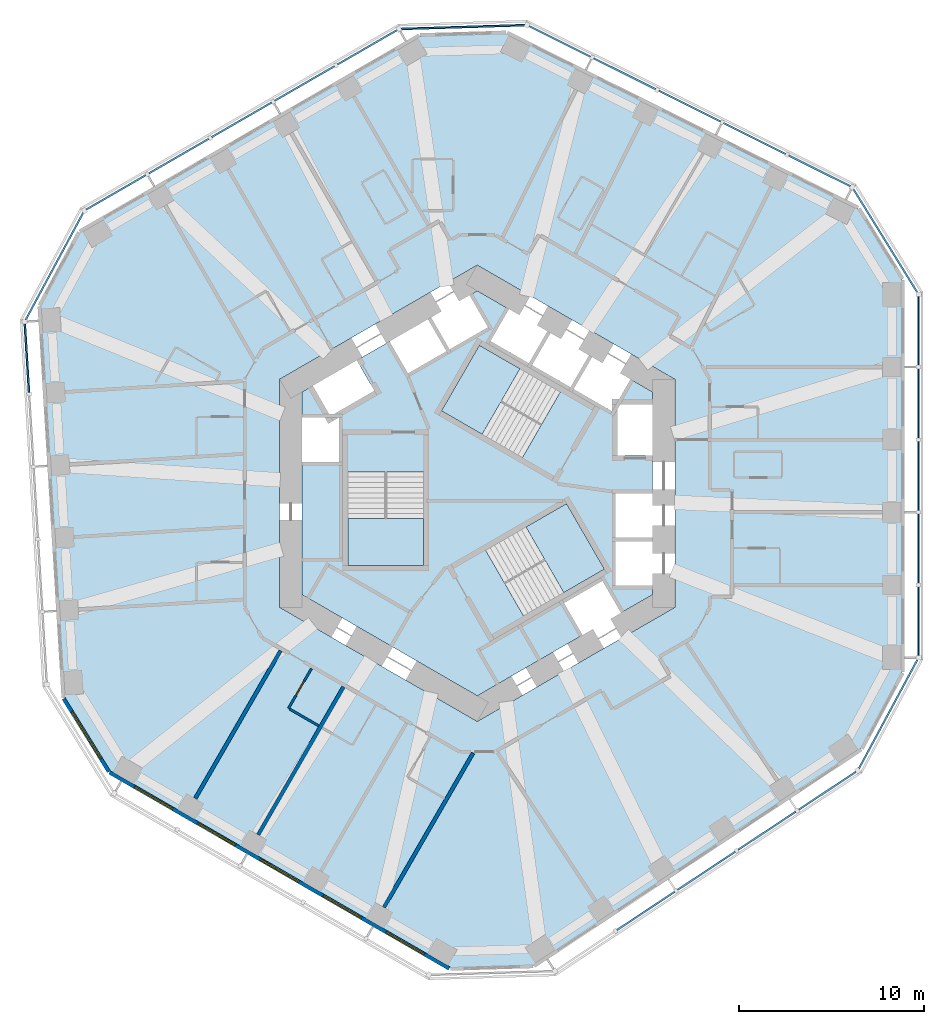
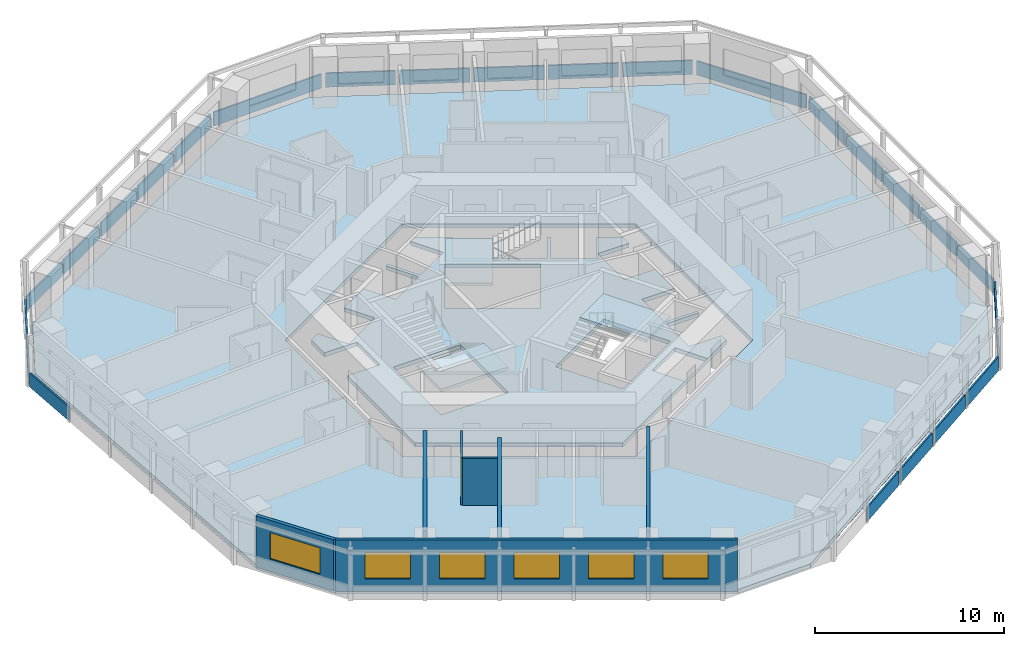
# One storey, part 3 of 12: 24 plates, 7 walls, 6 windows, 5 slabs, 1 door, 7 openings, 12 elements without a shape of their own.
"""IFC4 building model written with IfcOpenShell, lengths in metres."""

from ifc_helpers import new_model, si_unit, direction, frame, frame_2d, origin, origin_2d, place, context, subcontext, project, spatial, polyline, rectangle, outline, extrude, material, layer, layer_set, type_object, element, fill, aggregate, save


model = new_model("IFC4")

# Units and contexts
model_context = context("Model", 3, precision=1e-05, world=origin(), true_north=direction((0.0, 1.0)))
body_context = subcontext(model_context, "Body", "Model", "MODEL_VIEW")
ifc_project = project(units=[si_unit("LENGTHUNIT", "METRE"), si_unit("AREAUNIT", "SQUARE_METRE"), si_unit("VOLUMEUNIT", "CUBIC_METRE"), si_unit("PLANEANGLEUNIT", "RADIAN"), si_unit("MASSUNIT", "GRAM", prefix="KILO")], contexts=[model_context])

# Site, building, storey
site_placement = place(None, origin())
site = spatial("IfcSite", under=ifc_project, at=site_placement, CompositionType="ELEMENT")
building_placement = place(site_placement, origin())
building = spatial("IfcBuilding", under=site, at=building_placement, Name="Vanh Sen Convention Tower", CompositionType="ELEMENT")
storey_placement = place(building_placement, frame((0.0, 0.0, 93.5)))
storey = spatial("IfcBuildingStorey", under=building, at=storey_placement, Name="L21", CompositionType="ELEMENT", Elevation=93.5)

# Slabs
ifc_material_1 = material(Name="Concrete C40/50", Category="concrete")
ifc_layer_1 = layer(ifc_material_1, 0.25)
ifc_layer_set_1 = layer_set([ifc_layer_1], Name="Concrete C40/50")
slab_type_1 = type_object("IfcSlabType", Name="Core slab 250", PredefinedType="FLOOR", material=ifc_layer_set_1)
slab_1_placement = place(storey_placement, frame((0.0, 0.0, -0.25)))
element("IfcSlab", 1, at=slab_1_placement, inside=storey, type_object=slab_type_1, Name="Core slab L21", PredefinedType="FLOOR", context=body_context, shape_type="SweptSolid", body=[
    extrude(outline(polyline([(9.5, 5.48486328125), (9.5, 4.800048828125), (7.60009765625, 4.800048828125), (7.60009765625, 2.050048828125), (9.5, 2.050048828125), (9.5, 0.0), (7.5, 0.0), (7.5, -2.39990234375), (9.5, -2.39990234375), (9.5, -2.60009765625), (7.5, -2.60009765625), (7.5, -5.0), (9.5, -5.0), (9.5, -5.48486328125), (0.0, -10.9697265625), (-9.5, -5.48486328125), (-9.5, 1.699951171875), (-7.5, 1.699951171875), (-7.5, 4.10009765625), (-9.5, 4.10009765625), (-9.5, 5.48486328125), (-8.906982421875, 5.8271484375), (-7.956787109375, 4.181884765625), (-5.575439453125, 5.556884765625), (-6.525390625, 7.2021484375), (-4.75, 8.227294921875), (-3.75, 6.4951171875), (-1.67138671875, 7.6953125), (-2.67138671875, 9.42724609375), (-2.498291015625, 9.527099609375), (-1.498291015625, 7.795166015625), (0.580078125, 8.9951171875), (-0.419921875, 10.727294921875), (0.0, 10.9697265625), (1.718994140625, 9.977294921875), (0.718994140625, 8.2451171875), (2.79736328125, 7.045166015625), (3.79736328125, 8.777099609375), (3.970703125, 8.67724609375), (2.970703125, 6.9453125), (5.049072265625, 5.7451171875), (6.049072265625, 7.477294921875), (6.22216796875, 7.377197265625), (5.22216796875, 5.645263671875), (7.30078125, 4.4453125), (8.30078125, 6.17724609375), (9.5, 5.48486328125)]), holes=[polyline([(-7.0, 3.14990234375), (-7.0, -3.909912109375), (-2.89990234375, -3.909912109375), (-2.89990234375, 3.14990234375), (-2.89990234375, 1.1494140625), (-7.0, 1.1494140625), (-7.0, 3.14990234375)]), polyline([(4.495361328125, 5.487548828125), (6.22802734375, 4.4873046875), (0.11376953125, 8.01708984375), (-1.936279296875, 4.466552734375), (2.4453125, 1.936767578125), (4.495361328125, 5.487548828125)]), polyline([(7.781005859375, -6.477294921875), (6.781005859375, -4.7451171875), (4.70263671875, -5.9453125), (5.70263671875, -7.67724609375), (7.781005859375, -6.477294921875)]), polyline([(0.45458984375, -3.086181640625), (2.504638671875, -6.63671875), (6.88623046875, -4.107177734375), (4.836181640625, -0.556396484375), (-1.278076171875, -4.08642578125), (0.45458984375, -3.086181640625)])]), origin(), (0.0, 0.0, 1.0), 0.25),
])
ifc_layer_2 = layer(ifc_material_1, 0.25)
ifc_layer_set_2 = layer_set([ifc_layer_2], Name="Concrete C40/50")
slab_type_2 = type_object("IfcSlabType", Name="Floor slab 250 REI 120", PredefinedType="FLOOR", material=ifc_layer_set_2)
slab_2_placement = place(storey_placement, frame((0.0, 0.0, -0.25)))
element("IfcSlab", 2, at=slab_2_placement, inside=storey, type_object=slab_type_2, Name="Floor slab L21 tower", PredefinedType="FLOOR", context=body_context, shape_type="SweptSolid", body=[
    extrude(outline(polyline([(23.0, -9.69921875), (23.0, 11.57373046875), (20.620361328125, 15.419189453125), (1.58251953125, 24.911376953125), (-3.10009765625, 24.768310546875), (-21.523193359375, 14.131591796875), (-23.663818359375, 10.14794921875), (-22.364990234375, -11.085205078125), (-19.89990234375, -15.069091796875), (-1.476806640625, -25.705322265625), (3.04345703125, -25.5673828125), (20.78271484375, -13.825927734375), (23.0, -9.69921875)]), holes=[polyline([(0.0, 12.355224609375), (-10.699951171875, 6.177490234375), (-10.699951171875, -6.177490234375), (0.0, -12.355224609375), (10.699951171875, -6.177490234375), (10.699951171875, 6.177490234375), (0.0, 12.355224609375)])]), origin(), (0.0, 0.0, 1.0), 0.25),
])

# Curtain wall, plates
ifc_material_2 = material(Name="Concrete C50/60", Category="concrete")
curtain_wall_type = type_object("IfcCurtainWallType", Name="Outer skin hotel zone", PredefinedType="NOTDEFINED", material=ifc_material_2)
curtain_wall_1_placement = place(storey_placement, origin())
curtain_wall_1 = element("IfcCurtainWall", 3, at=curtain_wall_1_placement, inside=storey, type_object=curtain_wall_type, Name="OUTER SKIN E L21", PredefinedType="NOTDEFINED")
ifc_layer_3 = layer(ifc_material_2, 0.10009765625)
ifc_layer_set_3 = layer_set([ifc_layer_3], Name="Concrete C50/60")
plate_type = type_object("IfcPlateType", Name="Outer skin precast screen panel 100", PredefinedType="CURTAIN_PANEL", material=ifc_layer_set_3)
plate_1_placement = place(storey_placement, frame((23.89990234375, -6.91943359375, 0.0), z_axis=(0.0, 0.0, 1.0), x_axis=(0.0, 1.0, 0.0)))
plate_1 = element("IfcPlate", 4, at=plate_1_placement, type_object=plate_type, Name="OUTER SKIN screen panel E-1", PredefinedType="CURTAIN_PANEL", context=body_context, shape_type="SweptSolid", body=[
    extrude(rectangle(XDim=3.709716796875, YDim=0.10009765625, at=origin_2d()), origin(), (0.0, 0.0, 1.0), 0.89990234375),
])
plate_2_placement = place(storey_placement, frame((23.89990234375, -2.997314453125, 0.0), z_axis=(0.0, 0.0, 1.0), x_axis=(0.0, 1.0, 0.0)))
plate_2 = element("IfcPlate", 5, at=plate_2_placement, type_object=plate_type, Name="OUTER SKIN screen panel E-2", PredefinedType="CURTAIN_PANEL", context=body_context, shape_type="SweptSolid", body=[
    extrude(rectangle(XDim=3.734619140625, YDim=0.10009765625, at=origin_2d()), origin(), (0.0, 0.0, 1.0), 0.89990234375),
])
plate_3_placement = place(storey_placement, frame((23.89990234375, 0.937255859375, 0.0), z_axis=(0.0, 0.0, 1.0), x_axis=(0.0, 1.0, 0.0)))
plate_3 = element("IfcPlate", 6, at=plate_3_placement, type_object=plate_type, Name="OUTER SKIN screen panel E-3", PredefinedType="CURTAIN_PANEL", context=body_context, shape_type="SweptSolid", body=[
    extrude(rectangle(XDim=3.734619140625, YDim=0.10009765625, at=origin_2d()), origin(), (0.0, 0.0, 1.0), 0.89990234375),
])
plate_4_placement = place(storey_placement, frame((23.89990234375, 4.871826171875, 0.0), z_axis=(0.0, 0.0, 1.0), x_axis=(0.0, 1.0, 0.0)))
plate_4 = element("IfcPlate", 7, at=plate_4_placement, type_object=plate_type, Name="OUTER SKIN screen panel E-4", PredefinedType="CURTAIN_PANEL", context=body_context, shape_type="SweptSolid", body=[
    extrude(rectangle(XDim=3.734619140625, YDim=0.10009765625, at=origin_2d()), origin(), (0.0, 0.0, 1.0), 0.89990234375),
])
plate_5_placement = place(storey_placement, frame((23.89990234375, 8.7939453125, 0.0), z_axis=(0.0, 0.0, 1.0), x_axis=(0.0, 1.0, 0.0)))
plate_5 = element("IfcPlate", 8, at=plate_5_placement, type_object=plate_type, Name="OUTER SKIN screen panel E-5", PredefinedType="CURTAIN_PANEL", context=body_context, shape_type="SweptSolid", body=[
    extrude(rectangle(XDim=3.709716796875, YDim=0.10009765625, at=origin_2d()), origin(), (0.0, 0.0, 1.0), 0.89990234375),
])
aggregate(curtain_wall_1, [plate_1, plate_2, plate_3, plate_4, plate_5])

# Curtain wall, plate
curtain_wall_2_placement = place(storey_placement, origin())
curtain_wall_2 = element("IfcCurtainWall", 9, at=curtain_wall_2_placement, inside=storey, type_object=curtain_wall_type, Name="OUTER SKIN CH1 L21", PredefinedType="NOTDEFINED")
plate_6_placement = place(storey_placement, frame((22.102783203125, 13.677734375, 0.0), z_axis=(0.0, 0.0, 1.0), x_axis=(-0.526212439506, 0.850353143411, 0.0)))
plate_6 = element("IfcPlate", 10, at=plate_6_placement, type_object=plate_type, Name="OUTER SKIN screen panel CH1-1", PredefinedType="CURTAIN_PANEL", context=body_context, shape_type="SweptSolid", body=[
    extrude(rectangle(XDim=6.580078125, YDim=0.10009765625, at=origin_2d()), origin(), (0.0, 0.0, 1.0), 0.89990234375),
])
aggregate(curtain_wall_2, [plate_6])

# Curtain wall, plates
curtain_wall_3_placement = place(storey_placement, origin())
curtain_wall_3 = element("IfcCurtainWall", 11, at=curtain_wall_3_placement, inside=storey, type_object=curtain_wall_type, Name="OUTER SKIN NE L21", PredefinedType="NOTDEFINED")
plate_7_placement = place(storey_placement, frame((18.5341796875, 17.465087890625, 0.0), z_axis=(0.0, 0.0, 1.0), x_axis=(-0.894935140363, 0.446196251154, 0.0)))
plate_7 = element("IfcPlate", 12, at=plate_7_placement, type_object=plate_type, Name="OUTER SKIN screen panel NE-1", PredefinedType="CURTAIN_PANEL", context=body_context, shape_type="SweptSolid", body=[
    extrude(rectangle(XDim=3.709716796875, YDim=0.10009765625, at=origin_2d()), origin(), (0.0, 0.0, 1.0), 0.89990234375),
])
plate_8_placement = place(storey_placement, frame((15.024169921875, 19.215087890625, 0.0), z_axis=(0.0, 0.0, 1.0), x_axis=(-0.894935140363, 0.446196251154, 0.0)))
plate_8 = element("IfcPlate", 13, at=plate_8_placement, type_object=plate_type, Name="OUTER SKIN screen panel NE-2", PredefinedType="CURTAIN_PANEL", context=body_context, shape_type="SweptSolid", body=[
    extrude(rectangle(XDim=3.734619140625, YDim=0.10009765625, at=origin_2d()), origin(), (0.0, 0.0, 1.0), 0.89990234375),
])
plate_9_placement = place(storey_placement, frame((11.5029296875, 20.970703125, 0.0), z_axis=(0.0, 0.0, 1.0), x_axis=(-0.894935140363, 0.446196251154, 0.0)))
plate_9 = element("IfcPlate", 14, at=plate_9_placement, type_object=plate_type, Name="OUTER SKIN screen panel NE-3", PredefinedType="CURTAIN_PANEL", context=body_context, shape_type="SweptSolid", body=[
    extrude(rectangle(XDim=3.734619140625, YDim=0.10009765625, at=origin_2d()), origin(), (0.0, 0.0, 1.0), 0.89990234375),
])
plate_10_placement = place(storey_placement, frame((7.981689453125, 22.726318359375, 0.0), z_axis=(0.0, 0.0, 1.0), x_axis=(-0.894935140363, 0.446196251154, 0.0)))
plate_10 = element("IfcPlate", 15, at=plate_10_placement, type_object=plate_type, Name="OUTER SKIN screen panel NE-4", PredefinedType="CURTAIN_PANEL", context=body_context, shape_type="SweptSolid", body=[
    extrude(rectangle(XDim=3.734619140625, YDim=0.10009765625, at=origin_2d()), origin(), (0.0, 0.0, 1.0), 0.89990234375),
])
plate_11_placement = place(storey_placement, frame((4.4716796875, 24.476318359375, 0.0), z_axis=(0.0, 0.0, 1.0), x_axis=(-0.894935140363, 0.446196251154, 0.0)))
plate_11 = element("IfcPlate", 16, at=plate_11_placement, type_object=plate_type, Name="OUTER SKIN screen panel NE-5", PredefinedType="CURTAIN_PANEL", context=body_context, shape_type="SweptSolid", body=[
    extrude(rectangle(XDim=3.709716796875, YDim=0.10009765625, at=origin_2d()), origin(), (0.0, 0.0, 1.0), 0.89990234375),
])
aggregate(curtain_wall_3, [plate_7, plate_8, plate_9, plate_10, plate_11])

# Curtain wall, plate
curtain_wall_4_placement = place(storey_placement, origin())
curtain_wall_4 = element("IfcCurtainWall", 17, at=curtain_wall_4_placement, inside=storey, type_object=curtain_wall_type, Name="OUTER SKIN CH2 L21", PredefinedType="NOTDEFINED")
plate_12_placement = place(storey_placement, frame((-0.771484375, 25.253662109375, 0.0), z_axis=(0.0, 0.0, 1.0), x_axis=(-0.999533644135, -0.030536768695, 0.0)))
plate_12 = element("IfcPlate", 18, at=plate_12_placement, type_object=plate_type, Name="OUTER SKIN screen panel CH2-1", PredefinedType="CURTAIN_PANEL", context=body_context, shape_type="SweptSolid", body=[
    extrude(rectangle(XDim=6.696044921875, YDim=0.10009765625, at=origin_2d()), origin(), (0.0, 0.0, 1.0), 0.89990234375),
])
aggregate(curtain_wall_4, [plate_12])

# Curtain wall, plates
curtain_wall_5_placement = place(storey_placement, origin())
curtain_wall_5 = element("IfcCurtainWall", 19, at=curtain_wall_5_placement, inside=storey, type_object=curtain_wall_type, Name="OUTER SKIN NW L21", PredefinedType="NOTDEFINED")
plate_13_placement = place(storey_placement, frame((-5.95751953125, 24.15771484375, 0.0), z_axis=(0.0, 0.0, 1.0), x_axis=(-0.866028021766, -0.499995465495, 0.0)))
plate_13 = element("IfcPlate", 20, at=plate_13_placement, type_object=plate_type, Name="OUTER SKIN screen panel NW-1", PredefinedType="CURTAIN_PANEL", context=body_context, shape_type="SweptSolid", body=[
    extrude(rectangle(XDim=3.709716796875, YDim=0.10009765625, at=origin_2d()), origin(), (0.0, 0.0, 1.0), 0.89990234375),
])
plate_14_placement = place(storey_placement, frame((-9.354248046875, 22.19677734375, 0.0), z_axis=(0.0, 0.0, 1.0), x_axis=(-0.866021040428, -0.500007557478, 0.0)))
plate_14 = element("IfcPlate", 21, at=plate_14_placement, type_object=plate_type, Name="OUTER SKIN screen panel NW-2", PredefinedType="CURTAIN_PANEL", context=body_context, shape_type="SweptSolid", body=[
    extrude(rectangle(XDim=3.734619140625, YDim=0.10009765625, at=origin_2d()), origin(), (0.0, 0.0, 1.0), 0.89990234375),
])
plate_15_placement = place(storey_placement, frame((-12.76171875, 20.2294921875, 0.0), z_axis=(0.0, 0.0, 1.0), x_axis=(-0.866028021766, -0.499995465495, 0.0)))
plate_15 = element("IfcPlate", 22, at=plate_15_placement, type_object=plate_type, Name="OUTER SKIN screen panel NW-3", PredefinedType="CURTAIN_PANEL", context=body_context, shape_type="SweptSolid", body=[
    extrude(rectangle(XDim=3.734619140625, YDim=0.10009765625, at=origin_2d()), origin(), (0.0, 0.0, 1.0), 0.89990234375),
])
plate_16_placement = place(storey_placement, frame((-16.169189453125, 18.26220703125, 0.0), z_axis=(0.0, 0.0, 1.0), x_axis=(-0.866028021766, -0.499995465495, 0.0)))
plate_16 = element("IfcPlate", 23, at=plate_16_placement, type_object=plate_type, Name="OUTER SKIN screen panel NW-4", PredefinedType="CURTAIN_PANEL", context=body_context, shape_type="SweptSolid", body=[
    extrude(rectangle(XDim=3.734619140625, YDim=0.10009765625, at=origin_2d()), origin(), (0.0, 0.0, 1.0), 0.89990234375),
])
plate_17_placement = place(storey_placement, frame((-19.56591796875, 16.301025390625, 0.0), z_axis=(0.0, 0.0, 1.0), x_axis=(-0.866021040428, -0.500007557478, 0.0)))
plate_17 = element("IfcPlate", 24, at=plate_17_placement, type_object=plate_type, Name="OUTER SKIN screen panel NW-5", PredefinedType="CURTAIN_PANEL", context=body_context, shape_type="SweptSolid", body=[
    extrude(rectangle(XDim=3.70947265625, YDim=0.10009765625, at=origin_2d()), origin(), (0.0, 0.0, 1.0), 0.89990234375),
])
aggregate(curtain_wall_5, [plate_13, plate_14, plate_15, plate_16, plate_17])

# Curtain wall, plate
curtain_wall_6_placement = place(storey_placement, origin())
curtain_wall_6 = element("IfcCurtainWall", 25, at=curtain_wall_6_placement, inside=storey, type_object=curtain_wall_type, Name="OUTER SKIN CH3 L21", PredefinedType="NOTDEFINED")
plate_18_placement = place(storey_placement, frame((-22.896728515625, 12.302978515625, 0.0), z_axis=(0.0, 0.0, 1.0), x_axis=(-0.47331812974, -0.880891564303, 0.0)))
plate_18 = element("IfcPlate", 26, at=plate_18_placement, type_object=plate_type, Name="OUTER SKIN screen panel CH3-1", PredefinedType="CURTAIN_PANEL", context=body_context, shape_type="SweptSolid", body=[
    extrude(rectangle(XDim=6.580078125, YDim=0.10009765625, at=origin_2d()), origin(), (0.0, 0.0, 1.0), 0.89990234375),
])
aggregate(curtain_wall_6, [plate_18])

curtain_wall_7_placement = place(storey_placement, origin())
curtain_wall_7 = element("IfcCurtainWall", 27, at=curtain_wall_7_placement, inside=storey, type_object=curtain_wall_type, Name="OUTER SKIN W L21", PredefinedType="NOTDEFINED")
plate_19_placement = place(storey_placement, frame((-24.39208984375, 7.318603515625, 0.0), z_axis=(0.0, 0.0, 1.0), x_axis=(0.061046797461, -0.99813490497, 0.0)))
plate_19 = element("IfcPlate", 28, at=plate_19_placement, type_object=plate_type, Name="OUTER SKIN screen panel W-1", PredefinedType="CURTAIN_PANEL", context=body_context, shape_type="SweptSolid", body=[
    extrude(rectangle(XDim=3.709716796875, YDim=0.10009765625, at=origin_2d()), origin(), (0.0, 0.0, 1.0), 0.89990234375),
])
aggregate(curtain_wall_7, [plate_19])

# Curtain wall, plates
curtain_wall_8_placement = place(storey_placement, origin())
curtain_wall_8 = element("IfcCurtainWall", 29, at=curtain_wall_8_placement, inside=storey, type_object=curtain_wall_type, Name="OUTER SKIN SE L21", PredefinedType="NOTDEFINED")
plate_20_placement = place(storey_placement, frame((9.128662109375, -22.618896484375, 0.0), z_axis=(0.0, 0.0, 1.0), x_axis=(0.833891601892, 0.55192825285, 0.0)))
plate_20 = element("IfcPlate", 30, at=plate_20_placement, type_object=plate_type, Name="OUTER SKIN screen panel SE-2", PredefinedType="CURTAIN_PANEL", context=body_context, shape_type="SweptSolid", body=[
    extrude(rectangle(XDim=3.734619140625, YDim=0.10009765625, at=origin_2d()), origin(), (0.0, 0.0, 1.0), 0.89990234375),
])
plate_21_placement = place(storey_placement, frame((12.40966796875, -20.447265625, 0.0), z_axis=(0.0, 0.0, 1.0), x_axis=(0.833880042151, 0.551945717714, 0.0)))
plate_21 = element("IfcPlate", 31, at=plate_21_placement, type_object=plate_type, Name="OUTER SKIN screen panel SE-3", PredefinedType="CURTAIN_PANEL", context=body_context, shape_type="SweptSolid", body=[
    extrude(rectangle(XDim=3.734619140625, YDim=0.10009765625, at=origin_2d()), origin(), (0.0, 0.0, 1.0), 0.89990234375),
])
plate_22_placement = place(storey_placement, frame((15.690673828125, -18.275390625, 0.0), z_axis=(0.0, 0.0, 1.0), x_axis=(0.833891601892, 0.55192825285, 0.0)))
plate_22 = element("IfcPlate", 32, at=plate_22_placement, type_object=plate_type, Name="OUTER SKIN screen panel SE-4", PredefinedType="CURTAIN_PANEL", context=body_context, shape_type="SweptSolid", body=[
    extrude(rectangle(XDim=3.734619140625, YDim=0.10009765625, at=origin_2d()), origin(), (0.0, 0.0, 1.0), 0.89990234375),
])
plate_23_placement = place(storey_placement, frame((18.961181640625, -16.11083984375, 0.0), z_axis=(0.0, 0.0, 1.0), x_axis=(0.833880042151, 0.551945717714, 0.0)))
plate_23 = element("IfcPlate", 33, at=plate_23_placement, type_object=plate_type, Name="OUTER SKIN screen panel SE-5", PredefinedType="CURTAIN_PANEL", context=body_context, shape_type="SweptSolid", body=[
    extrude(rectangle(XDim=3.709716796875, YDim=0.10009765625, at=origin_2d()), origin(), (0.0, 0.0, 1.0), 0.89990234375),
])
aggregate(curtain_wall_8, [plate_20, plate_21, plate_22, plate_23])

# Curtain wall, plate
curtain_wall_9_placement = place(storey_placement, origin())
curtain_wall_9 = element("IfcCurtainWall", 34, at=curtain_wall_9_placement, inside=storey, type_object=curtain_wall_type, Name="OUTER SKIN CH6 L21", PredefinedType="NOTDEFINED")
plate_24_placement = place(storey_placement, frame((22.256103515625, -11.95849609375, 0.0), z_axis=(0.0, 0.0, 1.0), x_axis=(0.473322742071, 0.880889086003, 0.0)))
plate_24 = element("IfcPlate", 35, at=plate_24_placement, type_object=plate_type, Name="OUTER SKIN screen panel CH6-1", PredefinedType="CURTAIN_PANEL", context=body_context, shape_type="SweptSolid", body=[
    extrude(rectangle(XDim=6.6962890625, YDim=0.10009765625, at=origin_2d()), origin(), (0.0, 0.0, 1.0), 0.89990234375),
])
aggregate(curtain_wall_9, [plate_24])

# Stair, slab
ifc_material_3 = material(Name="Concrete C50/60", Category="concrete")
stair_type_1 = type_object("IfcStairType", Name="Exit stair ST1 20 risers at 165.0", PredefinedType="HALF_TURN_STAIR", material=ifc_material_3)
stair_1_placement = place(storey_placement, origin())
stair_1 = element("IfcStair", 36, at=stair_1_placement, inside=storey, type_object=stair_type_1, Name="Exit stair ST1 L21", PredefinedType="HALF_TURN_STAIR")
ifc_layer_4 = layer(ifc_material_1, 0.199951171875)
ifc_layer_set_4 = layer_set([ifc_layer_4], Name="Concrete C40/50")
slab_type_3 = type_object("IfcSlabType", Name="Stair landing 200", PredefinedType="LANDING", material=ifc_layer_set_4)
slab_3_placement = place(storey_placement, frame((0.0, 0.0, 1.449951171875)))
slab_3 = element("IfcSlab", 37, at=slab_3_placement, type_object=slab_type_3, Name="ST1 landing 1", PredefinedType="LANDING", context=body_context, shape_type="SweptSolid", body=[
    extrude(outline(polyline([(2.314208984375, 6.746826171875), (0.11376953125, 8.01708984375), (-1.936279296875, 4.466552734375), (0.26416015625, 3.196044921875), (2.314208984375, 6.746826171875)])), origin(), (0.0, 0.0, 1.0), 0.199951171875),
])
aggregate(stair_1, [slab_3])

stair_type_2 = type_object("IfcStairType", Name="Exit stair ST2 20 risers at 165.0", PredefinedType="HALF_TURN_STAIR", material=ifc_material_3)
stair_2_placement = place(storey_placement, origin())
stair_2 = element("IfcStair", 38, at=stair_2_placement, inside=storey, type_object=stair_type_2, Name="Exit stair ST2 L21", PredefinedType="HALF_TURN_STAIR")
slab_4_placement = place(storey_placement, frame((0.0, 0.0, 1.449951171875)))
slab_4 = element("IfcSlab", 39, at=slab_4_placement, type_object=slab_type_3, Name="ST2 landing 1", PredefinedType="LANDING", context=body_context, shape_type="SweptSolid", body=[
    extrude(outline(polyline([(-7.0, -1.369384765625), (-7.0, -3.909912109375), (-2.89990234375, -3.909912109375), (-2.89990234375, -1.369384765625), (-7.0, -1.369384765625)])), origin(), (0.0, 0.0, 1.0), 0.199951171875),
])
aggregate(stair_2, [slab_4])

stair_type_3 = type_object("IfcStairType", Name="Exit stair ST3 20 risers at 165.0", PredefinedType="HALF_TURN_STAIR", material=ifc_material_3)
stair_3_placement = place(storey_placement, origin())
stair_3 = element("IfcStair", 40, at=stair_3_placement, inside=storey, type_object=stair_type_3, Name="Exit stair ST3 L21", PredefinedType="HALF_TURN_STAIR")
slab_5_placement = place(storey_placement, frame((0.0, 0.0, 1.449951171875)))
slab_5 = element("IfcSlab", 41, at=slab_5_placement, type_object=slab_type_3, Name="ST3 landing 1", PredefinedType="LANDING", context=body_context, shape_type="SweptSolid", body=[
    extrude(outline(polyline([(4.685791015625, -5.37744140625), (6.88623046875, -4.107177734375), (4.836181640625, -0.556396484375), (2.6357421875, -1.826904296875), (4.685791015625, -5.37744140625)])), origin(), (0.0, 0.0, 1.0), 0.199951171875),
])
aggregate(stair_3, [slab_5])

# Wall, opening, door
ifc_material_4 = material(Name="Moisture-resistant gypsum board on steel studs", Category="steel")
ifc_layer_5 = layer(ifc_material_4, 0.1201171875)
ifc_layer_set_5 = layer_set([ifc_layer_5], Name="Moisture-resistant gypsum board on steel studs")
wall_type_1 = type_object("IfcWallType", Name="Bathroom partition 120", PredefinedType="PARTITIONING", material=ifc_layer_set_5)
wall_1_placement = place(storey_placement, frame((-10.22412109375, -11.6484375, 0.0), z_axis=(0.0, 0.0, 1.0), x_axis=(0.500004234368, 0.866022959057, 0.0)))
wall_1 = element("IfcWall", 42, at=wall_1_placement, inside=storey, type_object=wall_type_1, Name="Bathroom partition 120", PredefinedType="PARTITIONING", context=body_context, shape_type="SweptSolid", body=[
    extrude(rectangle(XDim=2.5, YDim=0.1201171875, at=frame_2d((1.25, 0.0))), origin(), (0.0, 0.0, 1.0), 3.050048828125),
])
opening_1_placement = place(wall_1_placement, frame((0.800048828125, 0.0, 0.0)))
opening_1 = element("IfcOpeningElement", 43, at=opening_1_placement, cuts=wall_1, Name="Opening D19132", PredefinedType="OPENING", context=body_context, shape_type="SweptSolid", body=[
    extrude(rectangle(XDim=0.89990234375, YDim=2.10009765625, at=frame_2d((0.449951171875, 1.050048828125))), frame((0.0, 0.070068359375, 0.0), z_axis=(0.0, -1.0, 0.0), x_axis=(1.0, 0.0, 0.0)), (0.0, 0.0, 1.0), 0.14013671875),
])
ifc_material_5 = material(Name="Laminate door in steel frame", Category="steel")
door_type = type_object("IfcDoorType", Name="En-suite door 900", OperationType="SINGLE_SWING_LEFT", PredefinedType="DOOR", material=ifc_material_5)
door_placement = place(opening_1_placement, origin())
door = element("IfcDoor", 44, at=door_placement, inside=storey, type_object=door_type, Name="En-suite door D19132", OperationType="SINGLE_SWING_LEFT", OverallHeight=2.10009765625, OverallWidth=0.89990234375, PredefinedType="DOOR", context=body_context, shape_type="SweptSolid", body=[
    extrude(rectangle(XDim=0.89990234375, YDim=2.10009765625, at=frame_2d((0.449951171875, 1.050048828125))), frame((0.0, 0.02490234375, 0.0), z_axis=(0.0, -1.0, 0.0), x_axis=(1.0, 0.0, 0.0)), (0.0, 0.0, 1.0), 0.050048828125),
])
fill(opening_1, door)

# Wall
wall_2_placement = place(storey_placement, frame((-8.57861328125, -12.598388671875, 0.0), z_axis=(0.0, 0.0, 1.0), x_axis=(-0.866046386007, 0.499963655964, 0.0)))
element("IfcWall", 45, at=wall_2_placement, inside=storey, type_object=wall_type_1, Name="Bathroom partition 120", PredefinedType="PARTITIONING", context=body_context, shape_type="SweptSolid", body=[
    extrude(rectangle(XDim=1.840087890625, YDim=0.1201171875, at=frame_2d((0.919921875, 0.0))), origin(), (0.0, 0.0, 1.0), 3.050048828125),
])

# Wall, opening, window
ifc_material_6 = material(Name="Insulated lightweight infill wall")
ifc_layer_6 = layer(ifc_material_6, 0.199951171875)
ifc_layer_set_6 = layer_set([ifc_layer_6], Name="Insulated lightweight infill wall")
wall_type_2 = type_object("IfcWallType", Name="External wall 200", PredefinedType="STANDARD", material=ifc_layer_set_6)
wall_3_placement = place(storey_placement, frame((-22.40087890625, -11.122314453125, 0.0), z_axis=(0.0, 0.0, 1.0), x_axis=(0.526197679914, -0.850362276711, 0.0)))
wall_3 = element("IfcWall", 46, at=wall_3_placement, inside=storey, type_object=wall_type_2, Name="External wall CH4 L21", PredefinedType="STANDARD", context=body_context, shape_type="SweptSolid", body=[
    extrude(rectangle(XDim=4.65966796875, YDim=0.199951171875, at=frame_2d((2.329833984375, 0.0))), origin(), (0.0, 0.0, 1.0), 3.300048828125),
])
opening_2_placement = place(wall_3_placement, frame((0.829833984375, 0.0, 0.800048828125)))
opening_2 = element("IfcOpeningElement", 47, at=opening_2_placement, cuts=wall_3, Name="Opening WH2-CH41", PredefinedType="OPENING", context=body_context, shape_type="SweptSolid", body=[
    extrude(rectangle(XDim=3.0, YDim=1.699951171875, at=frame_2d((1.5, 0.85009765625))), frame((0.0, 0.10986328125, 0.0), z_axis=(0.0, -1.0, 0.0), x_axis=(1.0, 0.0, 0.0)), (0.0, 0.0, 1.0), 0.219970703125),
])
ifc_material_7 = material(Name="Aluminium frame with clear low-emissivity glass", Category="aluminium")
window_type_1 = type_object("IfcWindowType", Name="Hotel window 3000 x 1700", PartitioningType="SINGLE_PANEL", PredefinedType="WINDOW", material=ifc_material_7)
window_1_placement = place(opening_2_placement, origin())
window_1 = element("IfcWindow", 48, at=window_1_placement, inside=storey, type_object=window_type_1, Name="Window WH2-CH41", OverallHeight=1.699951171875, OverallWidth=3.0, PartitioningType="SINGLE_PANEL", PredefinedType="WINDOW", context=body_context, shape_type="SweptSolid", body=[
    extrude(rectangle(XDim=3.0, YDim=1.699951171875, at=frame_2d((1.5, 0.85009765625))), frame((0.0, 0.030029296875, 0.0), z_axis=(0.0, -1.0, 0.0), x_axis=(1.0, 0.0, 0.0)), (0.0, 0.0, 1.0), 0.06005859375),
])
fill(opening_2, window_1)

# Wall, openings, windows
wall_4_placement = place(storey_placement, frame((-19.913818359375, -15.11865234375, 0.0), z_axis=(0.0, 0.0, 1.0), x_axis=(0.866025418898, -0.499999973822, 0.0)))
wall_4 = element("IfcWall", 49, at=wall_4_placement, inside=storey, type_object=wall_type_2, Name="External wall SW L21", PredefinedType="STANDARD", context=body_context, shape_type="SweptSolid", body=[
    extrude(rectangle(XDim=21.24609375, YDim=0.199951171875, at=frame_2d((10.623046875, 0.0))), origin(), (0.0, 0.0, 1.0), 3.300048828125),
])
opening_3_placement = place(wall_4_placement, frame((1.5546875, 0.0, 0.800048828125)))
opening_3 = element("IfcOpeningElement", 50, at=opening_3_placement, cuts=wall_4, Name="Opening WH1-SW1", PredefinedType="OPENING", context=body_context, shape_type="SweptSolid", body=[
    extrude(rectangle(XDim=2.39990234375, YDim=1.699951171875, at=frame_2d((1.199951171875, 0.85009765625))), frame((0.0, 0.10986328125, 0.0), z_axis=(0.0, -1.0, 0.0), x_axis=(1.0, 0.0, 0.0)), (0.0, 0.0, 1.0), 0.219970703125),
])
opening_4_placement = place(wall_4_placement, frame((5.4892578125, 0.0, 0.800048828125)))
opening_4 = element("IfcOpeningElement", 51, at=opening_4_placement, cuts=wall_4, Name="Opening WH1-SW2", PredefinedType="OPENING", context=body_context, shape_type="SweptSolid", body=[
    extrude(rectangle(XDim=2.39990234375, YDim=1.699951171875, at=frame_2d((1.199951171875, 0.85009765625))), frame((0.0, 0.10986328125, 0.0), z_axis=(0.0, -1.0, 0.0), x_axis=(1.0, 0.0, 0.0)), (0.0, 0.0, 1.0), 0.219970703125),
])
opening_5_placement = place(wall_4_placement, frame((9.423828125, 0.0, 0.800048828125)))
opening_5 = element("IfcOpeningElement", 52, at=opening_5_placement, cuts=wall_4, Name="Opening WH1-SW3", PredefinedType="OPENING", context=body_context, shape_type="SweptSolid", body=[
    extrude(rectangle(XDim=2.39990234375, YDim=1.699951171875, at=frame_2d((1.199951171875, 0.85009765625))), frame((0.0, 0.10986328125, 0.0), z_axis=(0.0, -1.0, 0.0), x_axis=(1.0, 0.0, 0.0)), (0.0, 0.0, 1.0), 0.219970703125),
])
opening_6_placement = place(wall_4_placement, frame((13.3583984375, 0.0, 0.800048828125)))
opening_6 = element("IfcOpeningElement", 53, at=opening_6_placement, cuts=wall_4, Name="Opening WH1-SW4", PredefinedType="OPENING", context=body_context, shape_type="SweptSolid", body=[
    extrude(rectangle(XDim=2.39990234375, YDim=1.699951171875, at=frame_2d((1.199951171875, 0.85009765625))), frame((0.0, 0.10986328125, 0.0), z_axis=(0.0, -1.0, 0.0), x_axis=(1.0, 0.0, 0.0)), (0.0, 0.0, 1.0), 0.219970703125),
])
opening_7_placement = place(wall_4_placement, frame((17.293212890625, 0.0, 0.800048828125)))
opening_7 = element("IfcOpeningElement", 54, at=opening_7_placement, cuts=wall_4, Name="Opening WH1-SW5", PredefinedType="OPENING", context=body_context, shape_type="SweptSolid", body=[
    extrude(rectangle(XDim=2.39990234375, YDim=1.699951171875, at=frame_2d((1.199951171875, 0.85009765625))), frame((0.0, 0.10986328125, 0.0), z_axis=(0.0, -1.0, 0.0), x_axis=(1.0, 0.0, 0.0)), (0.0, 0.0, 1.0), 0.219970703125),
])
window_type_2 = type_object("IfcWindowType", Name="Hotel window 2400 x 1700", PartitioningType="SINGLE_PANEL", PredefinedType="WINDOW", material=ifc_material_7)
window_2_placement = place(opening_3_placement, origin())
window_2 = element("IfcWindow", 55, at=window_2_placement, inside=storey, type_object=window_type_2, Name="Window WH1-SW1", OverallHeight=1.699951171875, OverallWidth=2.39990234375, PartitioningType="SINGLE_PANEL", PredefinedType="WINDOW", context=body_context, shape_type="SweptSolid", body=[
    extrude(rectangle(XDim=2.39990234375, YDim=1.699951171875, at=frame_2d((1.199951171875, 0.85009765625))), frame((0.0, 0.030029296875, 0.0), z_axis=(0.0, -1.0, 0.0), x_axis=(1.0, 0.0, 0.0)), (0.0, 0.0, 1.0), 0.06005859375),
])
fill(opening_3, window_2)
window_3_placement = place(opening_4_placement, origin())
window_3 = element("IfcWindow", 56, at=window_3_placement, inside=storey, type_object=window_type_2, Name="Window WH1-SW2", OverallHeight=1.699951171875, OverallWidth=2.39990234375, PartitioningType="SINGLE_PANEL", PredefinedType="WINDOW", context=body_context, shape_type="SweptSolid", body=[
    extrude(rectangle(XDim=2.39990234375, YDim=1.699951171875, at=frame_2d((1.199951171875, 0.85009765625))), frame((0.0, 0.030029296875, 0.0), z_axis=(0.0, -1.0, 0.0), x_axis=(1.0, 0.0, 0.0)), (0.0, 0.0, 1.0), 0.06005859375),
])
fill(opening_4, window_3)
window_4_placement = place(opening_5_placement, origin())
window_4 = element("IfcWindow", 57, at=window_4_placement, inside=storey, type_object=window_type_2, Name="Window WH1-SW3", OverallHeight=1.699951171875, OverallWidth=2.39990234375, PartitioningType="SINGLE_PANEL", PredefinedType="WINDOW", context=body_context, shape_type="SweptSolid", body=[
    extrude(rectangle(XDim=2.39990234375, YDim=1.699951171875, at=frame_2d((1.199951171875, 0.85009765625))), frame((0.0, 0.030029296875, 0.0), z_axis=(0.0, -1.0, 0.0), x_axis=(1.0, 0.0, 0.0)), (0.0, 0.0, 1.0), 0.06005859375),
])
fill(opening_5, window_4)
window_5_placement = place(opening_6_placement, origin())
window_5 = element("IfcWindow", 58, at=window_5_placement, inside=storey, type_object=window_type_2, Name="Window WH1-SW4", OverallHeight=1.699951171875, OverallWidth=2.39990234375, PartitioningType="SINGLE_PANEL", PredefinedType="WINDOW", context=body_context, shape_type="SweptSolid", body=[
    extrude(rectangle(XDim=2.39990234375, YDim=1.699951171875, at=frame_2d((1.199951171875, 0.85009765625))), frame((0.0, 0.030029296875, 0.0), z_axis=(0.0, -1.0, 0.0), x_axis=(1.0, 0.0, 0.0)), (0.0, 0.0, 1.0), 0.06005859375),
])
fill(opening_6, window_5)
window_6_placement = place(opening_7_placement, origin())
window_6 = element("IfcWindow", 59, at=window_6_placement, inside=storey, type_object=window_type_2, Name="Window WH1-SW5", OverallHeight=1.699951171875, OverallWidth=2.39990234375, PartitioningType="SINGLE_PANEL", PredefinedType="WINDOW", context=body_context, shape_type="SweptSolid", body=[
    extrude(rectangle(XDim=2.39990234375, YDim=1.699951171875, at=frame_2d((1.199951171875, 0.85009765625))), frame((0.0, 0.030029296875, 0.0), z_axis=(0.0, -1.0, 0.0), x_axis=(1.0, 0.0, 0.0)), (0.0, 0.0, 1.0), 0.06005859375),
])
fill(opening_7, window_6)

# Walls
ifc_material_8 = material(Name="Gypsum board on steel studs with mineral wool", Category="steel")
ifc_layer_7 = layer(ifc_material_8, 0.199951171875)
ifc_layer_set_7 = layer_set([ifc_layer_7], Name="Gypsum board on steel studs with mineral wool")
wall_type_3 = type_object("IfcWallType", Name="Hotel party wall 200", PredefinedType="PARTITIONING", material=ifc_layer_set_7)
wall_5_placement = place(storey_placement, frame((-15.2744140625, -16.527099609375, 0.0), z_axis=(0.0, 0.0, 1.0), x_axis=(0.49998823431, 0.866032196602, 0.0)))
element("IfcWall", 60, at=wall_5_placement, inside=storey, type_object=wall_type_3, Name="Hotel party wall 200", PredefinedType="PARTITIONING", context=body_context, shape_type="SweptSolid", body=[
    extrude(rectangle(XDim=9.250244140625, YDim=0.199951171875, at=frame_2d((4.625, 0.0))), origin(), (0.0, 0.0, 1.0), 3.050048828125),
])
wall_6_placement = place(storey_placement, frame((-11.8671875, -18.494140625, 0.0), z_axis=(0.0, 0.0, 1.0), x_axis=(0.499999662836, 0.866025598446, 0.0)))
element("IfcWall", 61, at=wall_6_placement, inside=storey, type_object=wall_type_3, Name="Hotel party wall 200", PredefinedType="PARTITIONING", context=body_context, shape_type="SweptSolid", body=[
    extrude(rectangle(XDim=9.25, YDim=0.199951171875, at=frame_2d((4.625, 0.0))), origin(), (0.0, 0.0, 1.0), 2.60009765625),
])
wall_7_placement = place(storey_placement, frame((-5.052001953125, -22.4287109375, 0.0), z_axis=(0.0, 0.0, 1.0), x_axis=(0.50000569793, 0.866022114058, 0.0)))
element("IfcWall", 62, at=wall_7_placement, inside=storey, type_object=wall_type_3, Name="Hotel party wall 200", PredefinedType="PARTITIONING", context=body_context, shape_type="SweptSolid", body=[
    extrude(rectangle(XDim=9.64990234375, YDim=0.199951171875, at=frame_2d((4.824951171875, 0.0))), origin(), (0.0, 0.0, 1.0), 3.050048828125),
])

save(model, "model.ifc")
